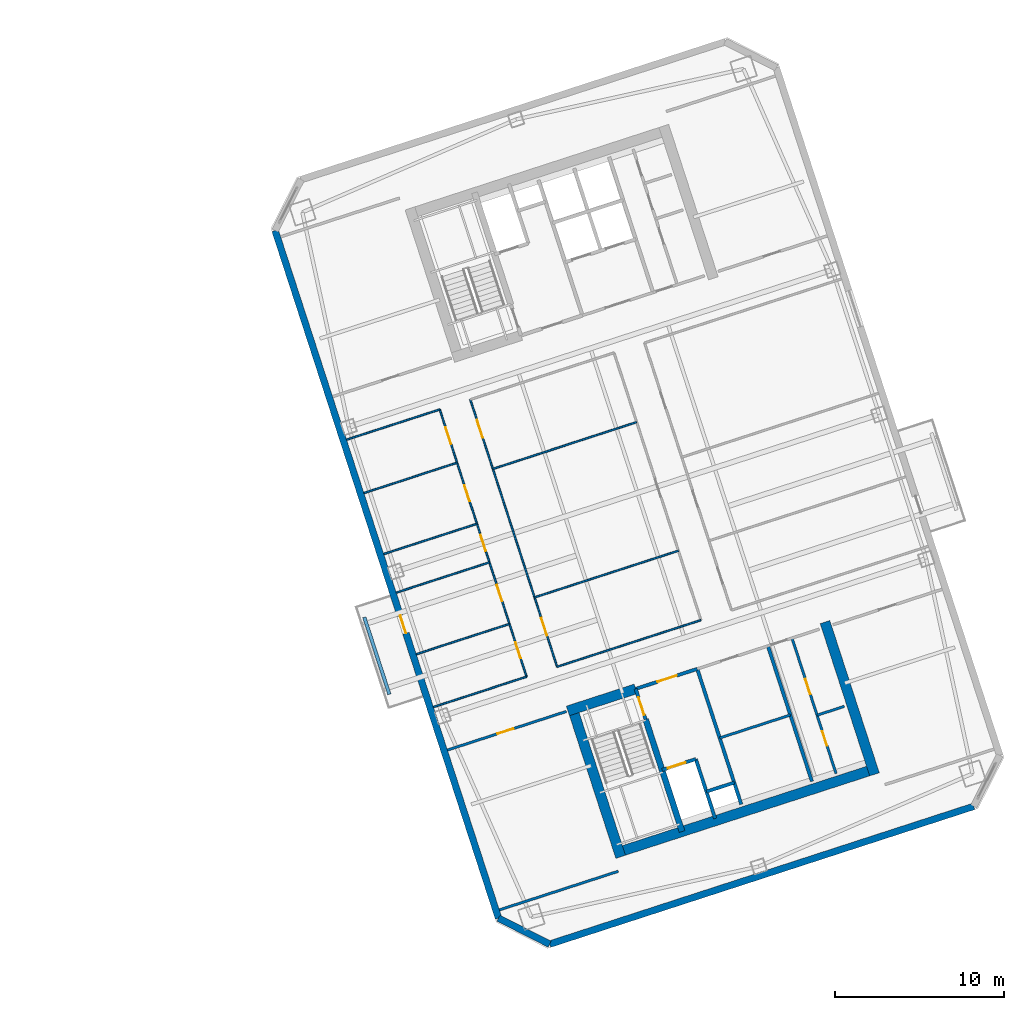
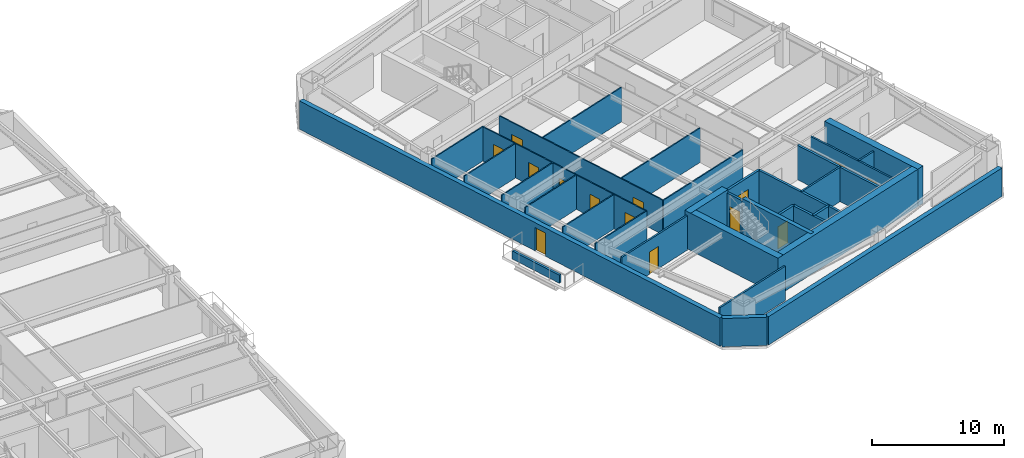
# One storey, part 15 of 22: 32 walls, 14 doors, 14 openings.
"""IFC4 building model written with IfcOpenShell, lengths in metres."""

import ifcopenshell
import ifcopenshell.guid

model = None  # the IFC model being written
_history = None  # IfcOwnerHistory: only IFC2X3 demands one
_inside = {}  # id of a spatial element -> (the spatial element, [elements in it])
_under = {}  # id of a project, library or spatial element -> (it, [spatial elements below it])
_declared = {}  # id of a project -> (the project, [libraries it declares])
_typed = {}  # id of a type object -> (the type object, [elements of that type])
_made_of = {}  # id of a material, layer set ... -> (it, [elements and type objects made of it])


def new_model(schema):
    """Start an empty IFC model of exactly this schema.

    Asked for "IFC4X3", IfcOpenShell would pick the latest addendum, in which some entities
    have other attributes; the version numbers below select the first issue.
    IFC2X3 requires an IfcOwnerHistory on every rooted entity: one is made here for all.
    """
    global model, _history
    if schema == "IFC4X3":
        model = ifcopenshell.file(schema_version=(4, 3, 0, 0))
    else:
        model = ifcopenshell.file(schema=schema)
    _inside.clear()
    _under.clear()
    _declared.clear()
    _typed.clear()
    _made_of.clear()
    _history = None
    if model.schema == "IFC2X3":
        org = make("IfcOrganization", Name="unknown")
        user = make(
            "IfcPersonAndOrganization",
            ThePerson=make("IfcPerson", FamilyName="unknown"),
            TheOrganization=org,
        )
        app = make(
            "IfcApplication",
            ApplicationDeveloper=org,
            Version="unknown",
            ApplicationFullName="unknown",
            ApplicationIdentifier="unknown",
        )
        _history = make(
            "IfcOwnerHistory",
            OwningUser=user,
            OwningApplication=app,
            ChangeAction="ADDED",
            CreationDate=0,
        )
    return model


def make(cls, **values):
    """One entity of the class cls with the attributes given. An attribute that is None is left unset."""
    return model.create_entity(
        cls, **{name: value for name, value in values.items() if value is not None}
    )


def rooted(cls, **values):
    """An entity with a GlobalId (a new one), such as an element, a storey or a relation."""
    return make(cls, GlobalId=ifcopenshell.guid.new(), OwnerHistory=_history, **values)


def si_unit(unit_type, name, prefix=None):
    """IfcSIUnit, for example si_unit("LENGTHUNIT", "METRE", prefix="MILLI")."""
    return make("IfcSIUnit", UnitType=unit_type, Prefix=prefix, Name=name)


def assignment(units):
    """IfcUnitAssignment: the units of a project."""
    return None if units is None else make("IfcUnitAssignment", Units=units)


def point(xyz):
    """IfcCartesianPoint."""
    return None if xyz is None else make("IfcCartesianPoint", Coordinates=xyz)


def direction(xyz):
    """IfcDirection."""
    return None if xyz is None else make("IfcDirection", DirectionRatios=xyz)


def frame(location, z_axis=None, x_axis=None):
    """IfcAxis2Placement3D, a coordinate frame: its origin and axes. An axis left out is left unset."""
    return make(
        "IfcAxis2Placement3D",
        Location=point(location),
        Axis=direction(z_axis),
        RefDirection=direction(x_axis),
    )


def frame_2d(location, x_axis=None):
    """IfcAxis2Placement2D, a coordinate frame in the plane: its origin and x axis."""
    return make(
        "IfcAxis2Placement2D", Location=point(location), RefDirection=direction(x_axis)
    )


def origin():
    """The frame at (0, 0, 0) with its axes left unset."""
    return frame((0.0, 0.0, 0.0))


def place(relative_to, where):
    """IfcLocalPlacement: puts the frame where relative to a parent placement (None: the world)."""
    return make(
        "IfcLocalPlacement", PlacementRelTo=relative_to, RelativePlacement=where
    )


def context(
    kind, dimensions, precision=None, world=None, true_north=None, identifier=None
):
    """IfcGeometricRepresentationContext, for example the 3D "Model" context."""
    return make(
        "IfcGeometricRepresentationContext",
        ContextIdentifier=identifier,
        ContextType=kind,
        CoordinateSpaceDimension=dimensions,
        Precision=precision,
        WorldCoordinateSystem=world,
        TrueNorth=true_north,
    )


def subcontext(parent, identifier, kind, view, scale=None):
    """IfcGeometricRepresentationSubContext, for example "Body" below "Model"."""
    return make(
        "IfcGeometricRepresentationSubContext",
        ContextIdentifier=identifier,
        ContextType=kind,
        ParentContext=parent,
        TargetScale=scale,
        TargetView=view,
    )


def project(units=None, contexts=None):
    """IfcProject with its units and contexts."""
    return rooted(
        "IfcProject",
        Name="project",
        RepresentationContexts=contexts,
        UnitsInContext=assignment(units),
    )


def spatial(cls, under=None, at=None, **own):
    """A site, building, storey or space (cls), placed at a placement, below another one or the project."""
    s = rooted(cls, ObjectPlacement=at, **own)
    if under is not None:
        _under.setdefault(under.id(), (under, []))[1].append(s)
    return s


def profile(cls, at=None, kind="AREA", **sizes):
    """A parametric profile (cls). Its sizes go by their IFC names, for example OverallWidth=200.0."""
    return make(cls, ProfileType=kind, Position=at, **sizes)


def rectangle(**sizes):
    """IfcRectangleProfileDef."""
    return profile("IfcRectangleProfileDef", **sizes)


def extrude(swept, where, along, depth):
    """IfcExtrudedAreaSolid: the profile swept, set in the frame where, extruded along a direction by depth."""
    return make(
        "IfcExtrudedAreaSolid",
        SweptArea=swept,
        Position=where,
        ExtrudedDirection=direction(along),
        Depth=depth,
    )


def shape(context_of_items, identifier, shape_type, items):
    """IfcShapeRepresentation: the items that make up one representation, for example the "Body"."""
    return make(
        "IfcShapeRepresentation",
        ContextOfItems=context_of_items,
        RepresentationIdentifier=identifier,
        RepresentationType=shape_type,
        Items=items,
    )


def material(Name=None, Category=None):
    """IfcMaterial."""
    return make("IfcMaterial", Name=Name, Category=Category)


def layer(
    of_material, thickness, ventilated=None, Name=None, Category=None, Priority=None
):
    """IfcMaterialLayer: one layer of a wall or slab, of a material (None: an air gap)."""
    return make(
        "IfcMaterialLayer",
        Material=of_material,
        LayerThickness=thickness,
        IsVentilated=ventilated,
        Name=Name,
        Category=Category,
        Priority=Priority,
    )


def layer_set(layers, Name=None):
    """IfcMaterialLayerSet."""
    return make("IfcMaterialLayerSet", MaterialLayers=layers, LayerSetName=Name)


def made_of(thing, what):
    """Note that an element or type object is made of a material, layer set ...; save() writes the relation."""
    if what is not None:
        _made_of.setdefault(what.id(), (what, []))[1].append(thing)
    return thing


def type_object(cls, material=None, **own):
    """A type object (cls), such as IfcWallType, which elements share."""
    return made_of(rooted(cls, **own), material)


def element(
    cls,
    number,
    at=None,
    inside=None,
    cuts=None,
    type_object=None,
    material=None,
    context=None,
    identifier="Body",
    shape_type=None,
    held_by="IfcProductDefinitionShape",
    body=None,
    shapes=None,
    **own,
):
    """One element of the class cls, such as IfcWall. Its Tag is "e" and its number.

    at: its placement. inside: the storey or other place that contains it. cuts: it is an
    opening in that element (IfcRelVoidsElement). A single representation is given by context,
    identifier, shape_type and body (its items); several are given by shapes. held_by: the class
    of the entity that holds the representations. save() writes the other relations.
    """
    e = rooted(cls, Tag="e%d" % number, ObjectPlacement=at, **own)
    if body is not None:
        shapes = [shape(context, identifier, shape_type, body)]
    if shapes is not None:
        e.Representation = make(held_by, Representations=shapes)
    if inside is not None:
        _inside.setdefault(inside.id(), (inside, []))[1].append(e)
    if cuts is not None:
        rooted(
            "IfcRelVoidsElement", RelatingBuildingElement=cuts, RelatedOpeningElement=e
        )
    if type_object is not None:
        _typed.setdefault(type_object.id(), (type_object, []))[1].append(e)
    return made_of(e, material)


def fill(opening, filler):
    """IfcRelFillsElement: the door or window that sits in an opening."""
    return rooted(
        "IfcRelFillsElement",
        RelatingOpeningElement=opening,
        RelatedBuildingElement=filler,
    )


def aggregate(whole, parts):
    """IfcRelAggregates: a whole, such as a stair, and the parts it consists of."""
    return rooted("IfcRelAggregates", RelatingObject=whole, RelatedObjects=parts)


def save(model, path):
    """Write the relations noted so far, then the file.

    IfcRelAggregates (storeys below a building ...), IfcRelContainedInSpatialStructure (elements
    in a storey), IfcRelDefinesByType, IfcRelAssociatesMaterial and IfcRelDeclares: one each for
    every whole, place, type object, material and project.
    """
    for whole, parts in _under.values():
        aggregate(whole, parts)
    for where, things in _inside.values():
        rooted(
            "IfcRelContainedInSpatialStructure",
            RelatedElements=things,
            RelatingStructure=where,
        )
    for kind, things in _typed.values():
        rooted("IfcRelDefinesByType", RelatedObjects=things, RelatingType=kind)
    for what, things in _made_of.values():
        rooted("IfcRelAssociatesMaterial", RelatedObjects=things, RelatingMaterial=what)
    for by, libraries in _declared.values():
        rooted("IfcRelDeclares", RelatingContext=by, RelatedDefinitions=libraries)
    model.write(path)


model = new_model("IFC4")

# Units and contexts
model_context = context("Model", 3, precision=1e-05, world=origin(), true_north=direction((0.0, 1.0)))
body_context = subcontext(model_context, "Body", "Model", "MODEL_VIEW")
ifc_project = project(units=[si_unit("LENGTHUNIT", "METRE"), si_unit("AREAUNIT", "SQUARE_METRE"), si_unit("VOLUMEUNIT", "CUBIC_METRE"), si_unit("PLANEANGLEUNIT", "RADIAN"), si_unit("MASSUNIT", "GRAM", prefix="KILO")], contexts=[model_context])

# Site, building, storey
site_placement = place(None, origin())
site = spatial("IfcSite", under=ifc_project, at=site_placement, CompositionType="ELEMENT")
building_placement = place(site_placement, origin())
building = spatial("IfcBuilding", under=site, at=building_placement, Name="Qiaolan Cultural Towers", CompositionType="ELEMENT")
storey_placement = place(building_placement, frame((0.0, 0.0, 146.050048828125)))
storey = spatial("IfcBuildingStorey", under=building, at=storey_placement, Name="L38", CompositionType="ELEMENT", Elevation=146.050048828125)

# Walls
ifc_material_1 = material(Name="Concrete C50", Category="concrete")
ifc_layer_1 = layer(ifc_material_1, 0.35009765625)
ifc_layer_set_1 = layer_set([ifc_layer_1], Name="Concrete C50")
wall_type_1 = type_object("IfcWallType", Name="WL-CORE-350", PredefinedType="SHEAR", material=ifc_layer_set_1)
wall_1_placement = place(storey_placement, frame((90.486328125, 20.59423828125, 0.0), z_axis=(0.0, 0.0, 1.0), x_axis=(0.309020428229, -0.951055400562, 0.0)))
element("IfcWall", 1, at=wall_1_placement, inside=storey, type_object=wall_type_1, Name="L38 T2-CS Stair Core Dividing Web", PredefinedType="SHEAR", context=body_context, shape_type="SweptSolid", body=[
    extrude(rectangle(XDim=6.97998046875, YDim=0.35009765625, at=frame_2d((3.489990234375, 0.0))), origin(), (0.0, 0.0, 1.0), 3.449951171875),
])
ifc_material_2 = material(Name="Concrete C55", Category="concrete")
ifc_layer_2 = layer(ifc_material_2, 0.60009765625)
ifc_layer_set_2 = layer_set([ifc_layer_2], Name="Concrete C55")
wall_type_2 = type_object("IfcWallType", Name="WL-CORE-600", PredefinedType="SHEAR", material=ifc_layer_set_2)
wall_2_placement = place(storey_placement, frame((88.6298828125, 12.65185546875, 0.0), z_axis=(0.0, 0.0, 1.0), x_axis=(0.95105714907, 0.309015046886, 0.0)))
element("IfcWall", 2, at=wall_2_placement, inside=storey, type_object=wall_type_2, Name="L38 T2-CS Outer Core Shear Wall", PredefinedType="SHEAR", context=body_context, shape_type="SweptSolid", body=[
    extrude(rectangle(XDim=16.400146484375, YDim=0.60009765625, at=frame_2d((8.2001953125, 0.0))), origin(), (0.0, 0.0, 1.0), 3.449951171875),
])
wall_3_placement = place(storey_placement, frame((86.078369140625, 21.47509765625, 0.0), z_axis=(0.0, 0.0, 1.0), x_axis=(0.309017938678, -0.951056209472, 0.0)))
element("IfcWall", 3, at=wall_3_placement, inside=storey, type_object=wall_type_2, Name="L38 T2-CS West Core Shear Wall", PredefinedType="SHEAR", context=body_context, shape_type="SweptSolid", body=[
    extrude(rectangle(XDim=9.479736328125, YDim=0.60009765625, at=frame_2d((4.73974609375, 0.0))), origin(), (0.0, 0.0, 1.0), 3.449951171875),
])
wall_4_placement = place(storey_placement, frame((101.105224609375, 26.357666015625, 0.0), z_axis=(0.0, 0.0, 1.0), x_axis=(0.309010370028, -0.95105866865, 0.0)))
element("IfcWall", 4, at=wall_4_placement, inside=storey, type_object=wall_type_2, Name="L38 T2-CS East Core Shear Wall", PredefinedType="SHEAR", context=body_context, shape_type="SweptSolid", body=[
    extrude(rectangle(XDim=9.47998046875, YDim=0.60009765625, at=frame_2d((4.739990234375, 0.0))), origin(), (0.0, 0.0, 1.0), 3.449951171875),
])
wall_5_placement = place(storey_placement, frame((85.8857421875, 21.09716796875, 0.0), z_axis=(0.0, 0.0, 1.0), x_axis=(0.951068073652, 0.308981422225, 0.0)))
element("IfcWall", 5, at=wall_5_placement, inside=storey, type_object=wall_type_2, Name="L38 T2-CS Stair Front Shear Wall", PredefinedType="SHEAR", context=body_context, shape_type="SweptSolid", body=[
    extrude(rectangle(XDim=4.22021484375, YDim=0.60009765625, at=frame_2d((2.110107421875, 0.0))), origin(), (0.0, 0.0, 1.0), 3.449951171875),
])

# Wall, opening, door
ifc_material_3 = material(Name="Precast Concrete C50 Honed Stone Pier", Category="masonry")
ifc_layer_3 = layer(ifc_material_3, 0.39990234375)
ifc_layer_set_3 = layer_set([ifc_layer_3], Name="Precast Concrete C50 Honed Stone Pier")
wall_type_3 = type_object("IfcWallType", Name="WL-EXT-PIER-400", PredefinedType="SOLIDWALL", material=ifc_layer_set_3)
wall_6_placement = place(storey_placement, frame((81.7763671875, 8.82666015625, 0.0), z_axis=(0.0, 0.0, 1.0), x_axis=(-0.309014228706, 0.951057414911, 0.0)))
wall_6 = element("IfcWall", 6, at=wall_6_placement, inside=storey, type_object=wall_type_3, Name="L38 East Tower Precast Pier Facade Wall F1", PredefinedType="SOLIDWALL", context=body_context, shape_type="SweptSolid", body=[
    extrude(rectangle(XDim=42.800048828125, YDim=0.39990234375, at=frame_2d((21.39990234375, 0.0))), origin(), (0.0, 0.0, 1.0), 2.60986328125),
])
opening_1_placement = place(wall_6_placement, frame((17.7333984375, 0.0, 0.0)))
opening_1 = element("IfcOpeningElement", 7, at=opening_1_placement, cuts=wall_6, Name="Opening BD-01", PredefinedType="OPENING", context=body_context, shape_type="SweptSolid", body=[
    extrude(rectangle(XDim=1.10009765625, YDim=2.14990234375, at=frame_2d((0.550048828125, 1.074951171875))), frame((0.0, 0.2099609375, 0.0), z_axis=(0.0, -1.0, 0.0), x_axis=(1.0, 0.0, 0.0)), (0.0, 0.0, 1.0), 0.419921875),
])
ifc_material_4 = material(Name="Thermally Broken Aluminium Glazed Terrace Door", Category="aluminium")
door_type_1 = type_object("IfcDoorType", Name="DR-BAL-1100", OperationType="NOTDEFINED", PredefinedType="DOOR", material=ifc_material_4)
door_1_placement = place(opening_1_placement, origin())
door_1 = element("IfcDoor", 8, at=door_1_placement, inside=storey, type_object=door_type_1, Name="L38 T2 West Tree Balcony Door", OperationType="SINGLE_SWING_LEFT", OverallHeight=2.14990234375, OverallWidth=1.10009765625, PredefinedType="DOOR", context=body_context, shape_type="SweptSolid", body=[
    extrude(rectangle(XDim=1.10009765625, YDim=2.14990234375, at=frame_2d((0.550048828125, 1.074951171875))), frame((0.0, 0.02490234375, 0.0), z_axis=(0.0, -1.0, 0.0), x_axis=(1.0, 0.0, 0.0)), (0.0, 0.0, 1.0), 0.050048828125),
])
fill(opening_1, door_1)

# Walls
wall_7_placement = place(storey_placement, frame((109.908447265625, 15.44384765625, 0.0), z_axis=(0.0, 0.0, 1.0), x_axis=(-0.951057580055, -0.30901372044, 0.0)))
element("IfcWall", 9, at=wall_7_placement, inside=storey, type_object=wall_type_3, Name="L38 East Tower Precast Pier Facade Wall F7", PredefinedType="SOLIDWALL", context=body_context, shape_type="SweptSolid", body=[
    extrude(rectangle(XDim=26.39990234375, YDim=0.39990234375, at=frame_2d((13.199951171875, 0.0))), origin(), (0.0, 0.0, 1.0), 2.60986328125),
])
wall_8_placement = place(storey_placement, frame((84.800537109375, 7.285888671875, 0.0), z_axis=(0.0, 0.0, 1.0), x_axis=(-0.891020832027, 0.453962417932, 0.0)))
element("IfcWall", 10, at=wall_8_placement, inside=storey, type_object=wall_type_3, Name="L38 East Tower Precast Pier Facade Wall F8", PredefinedType="SOLIDWALL", context=body_context, shape_type="SweptSolid", body=[
    extrude(rectangle(XDim=3.39404296875, YDim=0.39990234375, at=frame_2d((1.697021484375, 0.0))), origin(), (0.0, 0.0, 1.0), 2.60986328125),
])

# Wall, opening, door
ifc_material_5 = material(Name="Concrete C35 Fire Wall", Category="concrete")
ifc_layer_4 = layer(ifc_material_5, 0.199951171875)
ifc_layer_set_4 = layer_set([ifc_layer_4], Name="Concrete C35 Fire Wall")
wall_type_4 = type_object("IfcWallType", Name="WL-FIRE-200", PredefinedType="PARTITIONING", material=ifc_layer_set_4)
wall_9_placement = place(storey_placement, frame((89.8994140625, 22.401123046875, 0.0), z_axis=(0.0, 0.0, 1.0), x_axis=(0.308932062672, -0.951084108086, 0.0)))
wall_9 = element("IfcWall", 11, at=wall_9_placement, inside=storey, type_object=wall_type_4, Name="L38 T2-CS Smokeproof Stair Entry Wall", PredefinedType="PARTITIONING", context=body_context, shape_type="SweptSolid", body=[
    extrude(rectangle(XDim=1.89990234375, YDim=0.199951171875, at=frame_2d((0.949951171875, 0.0))), origin(), (0.0, 0.0, 1.0), 3.175048828125),
])
opening_2_placement = place(wall_9_placement, frame((0.52001953125, 0.0, 0.0)))
opening_2 = element("IfcOpeningElement", 12, at=opening_2_placement, cuts=wall_9, Name="Opening FD-04", PredefinedType="OPENING", context=body_context, shape_type="SweptSolid", body=[
    extrude(rectangle(XDim=1.10009765625, YDim=2.050048828125, at=frame_2d((0.550048828125, 1.02490234375))), frame((0.0, 0.10986328125, 0.0), z_axis=(0.0, -1.0, 0.0), x_axis=(1.0, 0.0, 0.0)), (0.0, 0.0, 1.0), 0.219970703125),
])
ifc_material_6 = material(Name="Galvanized Steel Command Fire Door", Category="steel")
door_type_2 = type_object("IfcDoorType", Name="DR-FD90-1100", OperationType="NOTDEFINED", PredefinedType="DOOR", material=ifc_material_6)
door_2_placement = place(opening_2_placement, origin())
door_2 = element("IfcDoor", 13, at=door_2_placement, inside=storey, type_object=door_type_2, Name="L38 ST-E1 Smokeproof Stair Fire Door", OperationType="SINGLE_SWING_LEFT", OverallHeight=2.050048828125, OverallWidth=1.10009765625, PredefinedType="DOOR", context=body_context, shape_type="SweptSolid", body=[
    extrude(rectangle(XDim=1.10009765625, YDim=2.050048828125, at=frame_2d((0.550048828125, 1.02490234375))), frame((0.0, 0.02490234375, 0.0), z_axis=(0.0, -1.0, 0.0), x_axis=(1.0, 0.0, 0.0)), (0.0, 0.0, 1.0), 0.050048828125),
])
fill(opening_2, door_2)

# Wall
wall_10_placement = place(storey_placement, frame((93.541748046875, 23.584716796875, 0.0), z_axis=(0.0, 0.0, 1.0), x_axis=(0.309042196757, -0.951048327176, 0.0)))
element("IfcWall", 14, at=wall_10_placement, inside=storey, type_object=wall_type_4, Name="L38 T2-CS Firefighting Zone Wall", PredefinedType="PARTITIONING", context=body_context, shape_type="SweptSolid", body=[
    extrude(rectangle(XDim=8.429931640625, YDim=0.199951171875, at=frame_2d((4.21484375, 0.0))), origin(), (0.0, 0.0, 1.0), 3.175048828125),
])

# Wall, opening, door
wall_11_placement = place(storey_placement, frame((89.8994140625, 22.401123046875, 0.0), z_axis=(0.0, 0.0, 1.0), x_axis=(0.951046716504, 0.309047153403, 0.0)))
wall_11 = element("IfcWall", 15, at=wall_11_placement, inside=storey, type_object=wall_type_4, Name="L38 T2-CS Firefighting Lobby Front Wall", PredefinedType="PARTITIONING", context=body_context, shape_type="SweptSolid", body=[
    extrude(rectangle(XDim=3.829833984375, YDim=0.199951171875, at=frame_2d((1.9150390625, 0.0))), origin(), (0.0, 0.0, 1.0), 3.175048828125),
])
opening_3_placement = place(wall_11_placement, frame((1.35009765625, 0.0, 0.0)))
opening_3 = element("IfcOpeningElement", 16, at=opening_3_placement, cuts=wall_11, Name="Opening FD-03", PredefinedType="OPENING", context=body_context, shape_type="SweptSolid", body=[
    extrude(rectangle(XDim=1.199951171875, YDim=2.050048828125, at=frame_2d((0.60009765625, 1.02490234375))), frame((0.0, 0.10986328125, 0.0), z_axis=(0.0, -1.0, 0.0), x_axis=(1.0, 0.0, 0.0)), (0.0, 0.0, 1.0), 0.219970703125),
])
ifc_material_7 = material(Name="Galvanized Steel Smokeproof Lobby Fire Door", Category="steel")
door_type_3 = type_object("IfcDoorType", Name="DR-FD90-1200", OperationType="NOTDEFINED", PredefinedType="DOOR", material=ifc_material_7)
door_3_placement = place(opening_3_placement, origin())
door_3 = element("IfcDoor", 17, at=door_3_placement, inside=storey, type_object=door_type_3, Name="L38 FFL-E1 Firefighting Lobby Fire Door", OperationType="SINGLE_SWING_LEFT", OverallHeight=2.050048828125, OverallWidth=1.199951171875, PredefinedType="DOOR", context=body_context, shape_type="SweptSolid", body=[
    extrude(rectangle(XDim=1.199951171875, YDim=2.050048828125, at=frame_2d((0.60009765625, 1.02490234375))), frame((0.0, 0.02490234375, 0.0), z_axis=(0.0, -1.0, 0.0), x_axis=(1.0, 0.0, 0.0)), (0.0, 0.0, 1.0), 0.050048828125),
])
fill(opening_3, door_3)

wall_12_placement = place(storey_placement, frame((91.459716796875, 17.598388671875, 0.0), z_axis=(0.0, 0.0, 1.0), x_axis=(0.951062257173, 0.308999325213, 0.0)))
wall_12 = element("IfcWall", 18, at=wall_12_placement, inside=storey, type_object=wall_type_4, Name="L38 T2-CS Firefighting Shaft Front Wall", PredefinedType="PARTITIONING", context=body_context, shape_type="SweptSolid", body=[
    extrude(rectangle(XDim=2.10009765625, YDim=0.199951171875, at=frame_2d((1.050048828125, 0.0))), origin(), (0.0, 0.0, 1.0), 3.175048828125),
])
opening_4_placement = place(wall_12_placement, frame((0.35009765625, 0.0, 0.0)))
opening_4 = element("IfcOpeningElement", 19, at=opening_4_placement, cuts=wall_12, Name="Opening LD-01", PredefinedType="OPENING", context=body_context, shape_type="SweptSolid", body=[
    extrude(rectangle(XDim=1.10009765625, YDim=2.050048828125, at=frame_2d((0.550048828125, 1.02490234375))), frame((0.0, 0.10986328125, 0.0), z_axis=(0.0, -1.0, 0.0), x_axis=(1.0, 0.0, 0.0)), (0.0, 0.0, 1.0), 0.219970703125),
])
ifc_material_8 = material(Name="Brushed Stainless Steel S30408 Centre-Parting Lift Landing Door", Category="steel")
door_type_4 = type_object("IfcDoorType", Name="DR-LIFT-1100", OperationType="NOTDEFINED", PredefinedType="DOOR", material=ifc_material_8)
door_4_placement = place(opening_4_placement, origin())
door_4 = element("IfcDoor", 20, at=door_4_placement, inside=storey, type_object=door_type_4, Name="L38 FFL-E1 Firefighting Lift Landing Door", OperationType="DOUBLE_DOOR_SLIDING", OverallHeight=2.050048828125, OverallWidth=1.10009765625, PredefinedType="DOOR", context=body_context, shape_type="SweptSolid", body=[
    extrude(rectangle(XDim=1.10009765625, YDim=2.050048828125, at=frame_2d((0.550048828125, 1.02490234375))), frame((0.0, 0.02490234375, 0.0), z_axis=(0.0, -1.0, 0.0), x_axis=(1.0, 0.0, 0.0)), (0.0, 0.0, 1.0), 0.050048828125),
])
fill(opening_4, door_4)

# Walls
wall_13_placement = place(storey_placement, frame((93.45703125, 18.247314453125, 0.0), z_axis=(0.0, 0.0, 1.0), x_axis=(0.3089935693, -0.951064127245, 0.0)))
element("IfcWall", 21, at=wall_13_placement, inside=storey, type_object=wall_type_4, Name="L38 T2-CS Firefighting Hoistway East Wall", PredefinedType="PARTITIONING", context=body_context, shape_type="SweptSolid", body=[
    extrude(rectangle(XDim=3.7001953125, YDim=0.199951171875, at=frame_2d((1.85009765625, 0.0))), origin(), (0.0, 0.0, 1.0), 3.175048828125),
])
wall_14_placement = place(storey_placement, frame((94.08447265625, 16.316650390625, 0.0), z_axis=(0.0, 0.0, 1.0), x_axis=(0.951041328149, 0.309063734775, 0.0)))
element("IfcWall", 22, at=wall_14_placement, inside=storey, type_object=wall_type_4, Name="L38 T2-CS Pressurization Shaft Front Wall", PredefinedType="PARTITIONING", context=body_context, shape_type="SweptSolid", body=[
    extrude(rectangle(XDim=1.72998046875, YDim=0.199951171875, at=frame_2d((0.864990234375, 0.0))), origin(), (0.0, 0.0, 1.0), 3.175048828125),
])
wall_15_placement = place(storey_placement, frame((97.7265625, 24.9443359375, 0.0), z_axis=(0.0, 0.0, 1.0), x_axis=(0.309016001439, -0.951056838919, 0.0)))
element("IfcWall", 23, at=wall_15_placement, inside=storey, type_object=wall_type_4, Name="L38 T2-CS Lift Core East Wall", PredefinedType="PARTITIONING", context=body_context, shape_type="SweptSolid", body=[
    extrude(rectangle(XDim=8.429931640625, YDim=0.199951171875, at=frame_2d((4.21484375, 0.0))), origin(), (0.0, 0.0, 1.0), 3.175048828125),
])
ifc_material_9 = material(Name="Acoustic Double-Glazed Partition Frame", Category="glass")
ifc_layer_5 = layer(ifc_material_9, 0.10009765625)
ifc_layer_set_5 = layer_set([ifc_layer_5], Name="Acoustic Double-Glazed Partition Frame")
wall_type_5 = type_object("IfcWallType", Name="WL-GLAZED-100", PredefinedType="MOVABLE", material=ifc_layer_set_5)
wall_16_placement = place(storey_placement, frame((77.9248046875, 21.328369140625, 0.0), z_axis=(0.0, 0.0, 1.0), x_axis=(0.951059431056, 0.309008023519, 0.0)))
element("IfcWall", 24, at=wall_16_placement, inside=storey, type_object=wall_type_5, Name="L38 T2 Interior Wall", PredefinedType="MOVABLE", context=body_context, shape_type="SweptSolid", body=[
    extrude(rectangle(XDim=5.800048828125, YDim=0.10009765625, at=frame_2d((2.89990234375, 0.0))), origin(), (0.0, 0.0, 1.0), 3.175048828125),
])
wall_17_placement = place(storey_placement, frame((85.247802734375, 23.707763671875, 0.0), z_axis=(0.0, 0.0, 1.0), x_axis=(0.951059123431, 0.309008970321, 0.0)))
element("IfcWall", 25, at=wall_17_placement, inside=storey, type_object=wall_type_5, Name="L38 T2 Interior Wall", PredefinedType="MOVABLE", context=body_context, shape_type="SweptSolid", body=[
    extrude(rectangle(XDim=8.949951171875, YDim=0.10009765625, at=frame_2d((4.47509765625, 0.0))), origin(), (0.0, 0.0, 1.0), 3.175048828125),
])
wall_18_placement = place(storey_placement, frame((72.78271484375, 37.15380859375, 0.0), z_axis=(0.0, 0.0, 1.0), x_axis=(0.951047059821, 0.309046096893, 0.0)))
element("IfcWall", 26, at=wall_18_placement, inside=storey, type_object=wall_type_5, Name="L38 T2 Interior Wall", PredefinedType="MOVABLE", context=body_context, shape_type="SweptSolid", body=[
    extrude(rectangle(XDim=5.800048828125, YDim=0.10009765625, at=frame_2d((2.89990234375, 0.0))), origin(), (0.0, 0.0, 1.0), 3.175048828125),
])

# Wall, openings, doors
wall_19_placement = place(storey_placement, frame((83.44091796875, 23.12060546875, 0.0), z_axis=(0.0, 0.0, 1.0), x_axis=(-0.30901773025, 0.951056277195, 0.0)))
wall_19 = element("IfcWall", 27, at=wall_19_placement, inside=storey, type_object=wall_type_5, Name="L38 T2 Interior Wall", PredefinedType="MOVABLE", context=body_context, shape_type="SweptSolid", body=[
    extrude(rectangle(XDim=16.64013671875, YDim=0.10009765625, at=frame_2d((8.320068359375, 0.0))), origin(), (0.0, 0.0, 1.0), 3.175048828125),
])
opening_5_placement = place(wall_19_placement, frame((1.143310546875, 0.0, 0.0)))
opening_5 = element("IfcOpeningElement", 28, at=opening_5_placement, cuts=wall_19, Name="Opening ID-04", PredefinedType="OPENING", context=body_context, shape_type="SweptSolid", body=[
    extrude(rectangle(XDim=1.0, YDim=2.050048828125, at=frame_2d((0.5, 1.02490234375))), frame((0.0, 0.06005859375, 0.0), z_axis=(0.0, -1.0, 0.0), x_axis=(1.0, 0.0, 0.0)), (0.0, 0.0, 1.0), 0.1201171875),
])
opening_6_placement = place(wall_19_placement, frame((4.703369140625, 0.0, 0.0)))
opening_6 = element("IfcOpeningElement", 29, at=opening_6_placement, cuts=wall_19, Name="Opening ID-04", PredefinedType="OPENING", context=body_context, shape_type="SweptSolid", body=[
    extrude(rectangle(XDim=1.0, YDim=2.050048828125, at=frame_2d((0.5, 1.02490234375))), frame((0.0, 0.06005859375, 0.0), z_axis=(0.0, -1.0, 0.0), x_axis=(1.0, 0.0, 0.0)), (0.0, 0.0, 1.0), 0.1201171875),
])
opening_7_placement = place(wall_19_placement, frame((7.820068359375, 0.0, 0.0)))
opening_7 = element("IfcOpeningElement", 30, at=opening_7_placement, cuts=wall_19, Name="Opening ID-04", PredefinedType="OPENING", context=body_context, shape_type="SweptSolid", body=[
    extrude(rectangle(XDim=1.0, YDim=2.050048828125, at=frame_2d((0.5, 1.02490234375))), frame((0.0, 0.06005859375, 0.0), z_axis=(0.0, -1.0, 0.0), x_axis=(1.0, 0.0, 0.0)), (0.0, 0.0, 1.0), 0.1201171875),
])
opening_8_placement = place(wall_19_placement, frame((10.919921875, 0.0, 0.0)))
opening_8 = element("IfcOpeningElement", 31, at=opening_8_placement, cuts=wall_19, Name="Opening ID-04", PredefinedType="OPENING", context=body_context, shape_type="SweptSolid", body=[
    extrude(rectangle(XDim=1.0, YDim=2.050048828125, at=frame_2d((0.5, 1.02490234375))), frame((0.0, 0.06005859375, 0.0), z_axis=(0.0, -1.0, 0.0), x_axis=(1.0, 0.0, 0.0)), (0.0, 0.0, 1.0), 0.1201171875),
])
opening_9_placement = place(wall_19_placement, frame((14.47998046875, 0.0, 0.0)))
opening_9 = element("IfcOpeningElement", 32, at=opening_9_placement, cuts=wall_19, Name="Opening ID-07", PredefinedType="OPENING", context=body_context, shape_type="SweptSolid", body=[
    extrude(rectangle(XDim=1.050048828125, YDim=2.050048828125, at=frame_2d((0.52490234375, 1.02490234375))), frame((0.0, 0.06005859375, 0.0), z_axis=(0.0, -1.0, 0.0), x_axis=(1.0, 0.0, 0.0)), (0.0, 0.0, 1.0), 0.1201171875),
])
ifc_material_10 = material(Name="Oak Veneer Acoustic Office Door", Category="timber")
door_type_5 = type_object("IfcDoorType", Name="DR-INT-1000", OperationType="NOTDEFINED", PredefinedType="DOOR", material=ifc_material_10)
door_5_placement = place(opening_5_placement, origin())
door_5 = element("IfcDoor", 33, at=door_5_placement, inside=storey, type_object=door_type_5, Name="L38 T2 Civic Planning Office Door", OperationType="SINGLE_SWING_LEFT", OverallHeight=2.050048828125, OverallWidth=1.0, PredefinedType="DOOR", context=body_context, shape_type="SweptSolid", body=[
    extrude(rectangle(XDim=1.0, YDim=2.050048828125, at=frame_2d((0.5, 1.02490234375))), frame((0.0, 0.02490234375, 0.0), z_axis=(0.0, -1.0, 0.0), x_axis=(1.0, 0.0, 0.0)), (0.0, 0.0, 1.0), 0.050048828125),
])
fill(opening_5, door_5)
door_6_placement = place(opening_6_placement, origin())
door_6 = element("IfcDoor", 34, at=door_6_placement, inside=storey, type_object=door_type_5, Name="L38 T2 Civic Planning Office Door", OperationType="SINGLE_SWING_RIGHT", OverallHeight=2.050048828125, OverallWidth=1.0, PredefinedType="DOOR", context=body_context, shape_type="SweptSolid", body=[
    extrude(rectangle(XDim=1.0, YDim=2.050048828125, at=frame_2d((0.5, 1.02490234375))), frame((0.0, 0.02490234375, 0.0), z_axis=(0.0, -1.0, 0.0), x_axis=(1.0, 0.0, 0.0)), (0.0, 0.0, 1.0), 0.050048828125),
])
fill(opening_6, door_6)
door_7_placement = place(opening_7_placement, origin())
door_7 = element("IfcDoor", 35, at=door_7_placement, inside=storey, type_object=door_type_5, Name="L38 T2 Design Review Room Door", OperationType="SINGLE_SWING_LEFT", OverallHeight=2.050048828125, OverallWidth=1.0, PredefinedType="DOOR", context=body_context, shape_type="SweptSolid", body=[
    extrude(rectangle(XDim=1.0, YDim=2.050048828125, at=frame_2d((0.5, 1.02490234375))), frame((0.0, 0.02490234375, 0.0), z_axis=(0.0, -1.0, 0.0), x_axis=(1.0, 0.0, 0.0)), (0.0, 0.0, 1.0), 0.050048828125),
])
fill(opening_7, door_7)
door_8_placement = place(opening_8_placement, origin())
door_8 = element("IfcDoor", 36, at=door_8_placement, inside=storey, type_object=door_type_5, Name="L38 T2 Design Review Room Door", OperationType="SINGLE_SWING_RIGHT", OverallHeight=2.050048828125, OverallWidth=1.0, PredefinedType="DOOR", context=body_context, shape_type="SweptSolid", body=[
    extrude(rectangle(XDim=1.0, YDim=2.050048828125, at=frame_2d((0.5, 1.02490234375))), frame((0.0, 0.02490234375, 0.0), z_axis=(0.0, -1.0, 0.0), x_axis=(1.0, 0.0, 0.0)), (0.0, 0.0, 1.0), 0.050048828125),
])
fill(opening_8, door_8)
ifc_material_11 = material(Name="Oak Veneer Consultation Door", Category="timber")
door_type_6 = type_object("IfcDoorType", Name="DR-INT-1050", OperationType="NOTDEFINED", PredefinedType="DOOR", material=ifc_material_11)
door_9_placement = place(opening_9_placement, origin())
door_9 = element("IfcDoor", 37, at=door_9_placement, inside=storey, type_object=door_type_6, Name="L38 T2 Pantry Door", OperationType="SINGLE_SWING_LEFT", OverallHeight=2.050048828125, OverallWidth=1.050048828125, PredefinedType="DOOR", context=body_context, shape_type="SweptSolid", body=[
    extrude(rectangle(XDim=1.050048828125, YDim=2.050048828125, at=frame_2d((0.52490234375, 1.02490234375))), frame((0.0, 0.02490234375, 0.0), z_axis=(0.0, -1.0, 0.0), x_axis=(1.0, 0.0, 0.0)), (0.0, 0.0, 1.0), 0.050048828125),
])
fill(opening_9, door_9)

wall_20_placement = place(storey_placement, frame((85.247802734375, 23.707763671875, 0.0), z_axis=(0.0, 0.0, 1.0), x_axis=(-0.309004459387, 0.951060589068, 0.0)))
wall_20 = element("IfcWall", 38, at=wall_20_placement, inside=storey, type_object=wall_type_5, Name="L38 T2 Interior Wall", PredefinedType="MOVABLE", context=body_context, shape_type="SweptSolid", body=[
    extrude(rectangle(XDim=16.64013671875, YDim=0.10009765625, at=frame_2d((8.320068359375, 0.0))), origin(), (0.0, 0.0, 1.0), 3.175048828125),
])
opening_10_placement = place(wall_20_placement, frame((1.944091796875, 0.0, 0.0)))
opening_10 = element("IfcOpeningElement", 39, at=opening_10_placement, cuts=wall_20, Name="Opening ID-03", PredefinedType="OPENING", context=body_context, shape_type="SweptSolid", body=[
    extrude(rectangle(XDim=1.10009765625, YDim=2.050048828125, at=frame_2d((0.550048828125, 1.02490234375))), frame((0.0, 0.06005859375, 0.0), z_axis=(0.0, -1.0, 0.0), x_axis=(1.0, 0.0, 0.0)), (0.0, 0.0, 1.0), 0.1201171875),
])
opening_11_placement = place(wall_20_placement, frame((14.263916015625, 0.0, 0.0)))
opening_11 = element("IfcOpeningElement", 40, at=opening_11_placement, cuts=wall_20, Name="Opening ID-03", PredefinedType="OPENING", context=body_context, shape_type="SweptSolid", body=[
    extrude(rectangle(XDim=1.10009765625, YDim=2.050048828125, at=frame_2d((0.550048828125, 1.02490234375))), frame((0.0, 0.06005859375, 0.0), z_axis=(0.0, -1.0, 0.0), x_axis=(1.0, 0.0, 0.0)), (0.0, 0.0, 1.0), 0.1201171875),
])
ifc_material_12 = material(Name="Oak Veneer Solid-Core Boardroom Door", Category="timber")
door_type_7 = type_object("IfcDoorType", Name="DR-INT-1100", OperationType="NOTDEFINED", PredefinedType="DOOR", material=ifc_material_12)
door_10_placement = place(opening_10_placement, origin())
door_10 = element("IfcDoor", 41, at=door_10_placement, inside=storey, type_object=door_type_7, Name="L38 T2 Central Boardroom Door", OperationType="SINGLE_SWING_LEFT", OverallHeight=2.050048828125, OverallWidth=1.10009765625, PredefinedType="DOOR", context=body_context, shape_type="SweptSolid", body=[
    extrude(rectangle(XDim=1.10009765625, YDim=2.050048828125, at=frame_2d((0.550048828125, 1.02490234375))), frame((0.0, 0.02490234375, 0.0), z_axis=(0.0, -1.0, 0.0), x_axis=(1.0, 0.0, 0.0)), (0.0, 0.0, 1.0), 0.050048828125),
])
fill(opening_10, door_10)
door_11_placement = place(opening_11_placement, origin())
door_11 = element("IfcDoor", 42, at=door_11_placement, inside=storey, type_object=door_type_7, Name="L38 T2 Central Archive Room Door", OperationType="SINGLE_SWING_RIGHT", OverallHeight=2.050048828125, OverallWidth=1.10009765625, PredefinedType="DOOR", context=body_context, shape_type="SweptSolid", body=[
    extrude(rectangle(XDim=1.10009765625, YDim=2.050048828125, at=frame_2d((0.550048828125, 1.02490234375))), frame((0.0, 0.02490234375, 0.0), z_axis=(0.0, -1.0, 0.0), x_axis=(1.0, 0.0, 0.0)), (0.0, 0.0, 1.0), 0.050048828125),
])
fill(opening_11, door_11)

# Walls
wall_21_placement = place(storey_placement, frame((83.912841796875, 27.81640625, 0.0), z_axis=(0.0, 0.0, 1.0), x_axis=(0.951059123431, 0.309008970321, 0.0)))
element("IfcWall", 43, at=wall_21_placement, inside=storey, type_object=wall_type_5, Name="L38 T2 Interior Wall", PredefinedType="MOVABLE", context=body_context, shape_type="SweptSolid", body=[
    extrude(rectangle(XDim=8.949951171875, YDim=0.10009765625, at=frame_2d((4.47509765625, 0.0))), origin(), (0.0, 0.0, 1.0), 3.175048828125),
])
wall_22_placement = place(storey_placement, frame((81.44091796875, 35.4248046875, 0.0), z_axis=(0.0, 0.0, 1.0), x_axis=(0.951056518616, 0.309016987233, 0.0)))
element("IfcWall", 44, at=wall_22_placement, inside=storey, type_object=wall_type_5, Name="L38 T2 Interior Wall", PredefinedType="MOVABLE", context=body_context, shape_type="SweptSolid", body=[
    extrude(rectangle(XDim=8.94970703125, YDim=0.10009765625, at=frame_2d((4.474853515625, 0.0))), origin(), (0.0, 0.0, 1.0), 3.175048828125),
])
for number, where, z_axis, x_axis, name in (
    (45, (76.9091796875, 24.4541015625, 0.0), (0.0, 0.0, 1.0), (0.951059431056, 0.309008023519, 0.0), "L38 T2 Interior Wall"),
    (46, (75.724609375, 28.099853515625, 0.0), (0.0, 0.0, 1.0), (0.951059431056, 0.309008023519, 0.0), "L38 T2 Interior Wall"),
    (47, (74.98291015625, 30.38232421875, 0.0), (0.0, 0.0, 1.0), (0.951047059821, 0.309046096893, 0.0), "L38 T2 Interior Wall"),
    (48, (73.80859375, 33.996337890625, 0.0), (0.0, 0.0, 1.0), (0.951047059821, 0.309046096893, 0.0), "L38 T2 Interior Wall"),
):
    element("IfcWall", number, at=place(storey_placement, frame(where, z_axis=z_axis, x_axis=x_axis)), inside=storey, type_object=wall_type_5, Name=name, PredefinedType="MOVABLE", context=body_context, shape_type="SweptSolid", body=[
        extrude(rectangle(XDim=5.800048828125, YDim=0.10009765625, at=frame_2d((2.89990234375, 0.0))), origin(), (0.0, 0.0, 1.0), 3.175048828125),
    ])
ifc_material_13 = material(Name="Autoclaved Aerated Concrete Block B06", Category="concrete")
ifc_layer_6 = layer(ifc_material_13, 0.14990234375)
ifc_layer_set_6 = layer_set([ifc_layer_6], Name="Autoclaved Aerated Concrete Block B06")
wall_type_6 = type_object("IfcWallType", Name="WL-PART-150", PredefinedType="PARTITIONING", material=ifc_layer_set_6)
wall_23_placement = place(storey_placement, frame((94.87060546875, 19.4951171875, 0.0), z_axis=(0.0, 0.0, 1.0), x_axis=(0.951042223598, 0.309060979314, 0.0)))
element("IfcWall", 49, at=wall_23_placement, inside=storey, type_object=wall_type_6, Name="L38 T2-CS Reclaimed Room Subdivider", PredefinedType="PARTITIONING", context=body_context, shape_type="SweptSolid", body=[
    extrude(rectangle(XDim=4.39990234375, YDim=0.14990234375, at=frame_2d((2.199951171875, 0.0))), origin(), (0.0, 0.0, 1.0), 3.175048828125),
])

# Wall, openings, doors
wall_24_placement = place(storey_placement, frame((99.153076171875, 25.407958984375, 0.0), z_axis=(0.0, 0.0, 1.0), x_axis=(0.309016001439, -0.951056838919, 0.0)))
wall_24 = element("IfcWall", 50, at=wall_24_placement, inside=storey, type_object=wall_type_6, Name="L38 T2-CS Washroom Split Wall", PredefinedType="PARTITIONING", context=body_context, shape_type="SweptSolid", body=[
    extrude(rectangle(XDim=8.429931640625, YDim=0.14990234375, at=frame_2d((4.21484375, 0.0))), origin(), (0.0, 0.0, 1.0), 3.175048828125),
])
opening_12_placement = place(wall_24_placement, frame((2.550048828125, 0.0, 0.0)))
opening_12 = element("IfcOpeningElement", 51, at=opening_12_placement, cuts=wall_24, Name="Opening ID-05", PredefinedType="OPENING", context=body_context, shape_type="SweptSolid", body=[
    extrude(rectangle(XDim=0.949951171875, YDim=2.050048828125, at=frame_2d((0.47509765625, 1.02490234375))), frame((0.0, 0.0849609375, 0.0), z_axis=(0.0, -1.0, 0.0), x_axis=(1.0, 0.0, 0.0)), (0.0, 0.0, 1.0), 0.169921875),
])
opening_13_placement = place(wall_24_placement, frame((5.800048828125, 0.0, 0.0)))
opening_13 = element("IfcOpeningElement", 52, at=opening_13_placement, cuts=wall_24, Name="Opening ID-06", PredefinedType="OPENING", context=body_context, shape_type="SweptSolid", body=[
    extrude(rectangle(XDim=0.89990234375, YDim=2.050048828125, at=frame_2d((0.449951171875, 1.02490234375))), frame((0.0, 0.0849609375, 0.0), z_axis=(0.0, -1.0, 0.0), x_axis=(1.0, 0.0, 0.0)), (0.0, 0.0, 1.0), 0.169921875),
])
ifc_material_14 = material(Name="Fire-Rated Laminate Core Service Door", Category="timber")
door_type_8 = type_object("IfcDoorType", Name="DR-INT-900", OperationType="NOTDEFINED", PredefinedType="DOOR", material=ifc_material_14)
door_12_placement = place(opening_13_placement, origin())
door_12 = element("IfcDoor", 53, at=door_12_placement, inside=storey, type_object=door_type_8, Name="L38 First-Aid Room Door", OperationType="SINGLE_SWING_RIGHT", OverallHeight=2.050048828125, OverallWidth=0.89990234375, PredefinedType="DOOR", context=body_context, shape_type="SweptSolid", body=[
    extrude(rectangle(XDim=0.89990234375, YDim=2.050048828125, at=frame_2d((0.449951171875, 1.02490234375))), frame((0.0, 0.02490234375, 0.0), z_axis=(0.0, -1.0, 0.0), x_axis=(1.0, 0.0, 0.0)), (0.0, 0.0, 1.0), 0.050048828125),
])
fill(opening_13, door_12)
ifc_material_15 = material(Name="Fire-Rated Laminate Accessible Core Door", Category="timber")
door_type_9 = type_object("IfcDoorType", Name="DR-INT-950", OperationType="NOTDEFINED", PredefinedType="DOOR", material=ifc_material_15)
door_13_placement = place(opening_12_placement, origin())
door_13 = element("IfcDoor", 54, at=door_13_placement, inside=storey, type_object=door_type_9, Name="L38 Accessible Washroom Door", OperationType="SINGLE_SWING_LEFT", OverallHeight=2.050048828125, OverallWidth=0.949951171875, PredefinedType="DOOR", context=body_context, shape_type="SweptSolid", body=[
    extrude(rectangle(XDim=0.949951171875, YDim=2.050048828125, at=frame_2d((0.47509765625, 1.02490234375))), frame((0.0, 0.02490234375, 0.0), z_axis=(0.0, -1.0, 0.0), x_axis=(1.0, 0.0, 0.0)), (0.0, 0.0, 1.0), 0.050048828125),
])
fill(opening_12, door_13)

# Walls
wall_25_placement = place(storey_placement, frame((100.636474609375, 20.8427734375, 0.0), z_axis=(0.0, 0.0, 1.0), x_axis=(0.951040401051, 0.309066587596, 0.0)))
element("IfcWall", 55, at=wall_25_placement, inside=storey, type_object=wall_type_6, Name="L38 T2-CS First-Aid Wall", PredefinedType="PARTITIONING", context=body_context, shape_type="SweptSolid", body=[
    extrude(rectangle(XDim=1.699951171875, YDim=0.14990234375, at=frame_2d((0.85009765625, 0.0))), origin(), (0.0, 0.0, 1.0), 3.175048828125),
])
wall_26_placement = place(storey_placement, frame((81.82763671875, 9.31640625, 0.0), z_axis=(0.0, 0.0, 1.0), x_axis=(0.95105128112, 0.309033106124, 0.0)))
element("IfcWall", 56, at=wall_26_placement, inside=storey, type_object=wall_type_6, Name="L38 T2 Flank Wall FLK-SW", PredefinedType="PARTITIONING", context=body_context, shape_type="SweptSolid", body=[
    extrude(rectangle(XDim=7.400146484375, YDim=0.14990234375, at=frame_2d((3.7001953125, 0.0))), origin(), (0.0, 0.0, 1.0), 3.175048828125),
])

# Wall, opening, door
wall_27_placement = place(storey_placement, frame((78.7529296875, 18.779541015625, 0.0), z_axis=(0.0, 0.0, 1.0), x_axis=(0.951060977215, 0.309003264738, 0.0)))
wall_27 = element("IfcWall", 57, at=wall_27_placement, inside=storey, type_object=wall_type_6, Name="L38 T2 Flank Front FLK-SW", PredefinedType="PARTITIONING", context=body_context, shape_type="SweptSolid", body=[
    extrude(rectangle(XDim=7.39990234375, YDim=0.14990234375, at=frame_2d((3.699951171875, 0.0))), origin(), (0.0, 0.0, 1.0), 3.175048828125),
])
opening_14_placement = place(wall_27_placement, frame((3.10791015625, 0.0, 0.0)))
opening_14 = element("IfcOpeningElement", 58, at=opening_14_placement, cuts=wall_27, Name="Opening ID-04", PredefinedType="OPENING", context=body_context, shape_type="SweptSolid", body=[
    extrude(rectangle(XDim=1.0, YDim=2.050048828125, at=frame_2d((0.5, 1.02490234375))), frame((0.0, 0.0849609375, 0.0), z_axis=(0.0, -1.0, 0.0), x_axis=(1.0, 0.0, 0.0)), (0.0, 0.0, 1.0), 0.169921875),
])
door_14_placement = place(opening_14_placement, origin())
door_14 = element("IfcDoor", 59, at=door_14_placement, inside=storey, type_object=door_type_5, Name="L38 T2 Corner Studio Door", OperationType="SINGLE_SWING_LEFT", OverallHeight=2.050048828125, OverallWidth=1.0, PredefinedType="DOOR", context=body_context, shape_type="SweptSolid", body=[
    extrude(rectangle(XDim=1.0, YDim=2.050048828125, at=frame_2d((0.5, 1.02490234375))), frame((0.0, 0.02490234375, 0.0), z_axis=(0.0, -1.0, 0.0), x_axis=(1.0, 0.0, 0.0)), (0.0, 0.0, 1.0), 0.050048828125),
])
fill(opening_14, door_14)

# Wall
ifc_material_16 = material(Name="Precast Concrete C45 Tree Planter Upstand", Category="concrete")
ifc_layer_7 = layer(ifc_material_16, 0.199951171875)
ifc_layer_set_7 = layer_set([ifc_layer_7], Name="Precast Concrete C45 Tree Planter Upstand")
wall_type_7 = type_object("IfcWallType", Name="WL-PLANTER-200", PredefinedType="PARAPET", material=ifc_layer_set_7)
wall_28_placement = place(storey_placement, frame((75.315185546875, 22.07861328125, 0.0), z_axis=(0.0, 0.0, 1.0), x_axis=(-0.309032019345, 0.951051634255, 0.0)))
element("IfcWall", 60, at=wall_28_placement, inside=storey, type_object=wall_type_7, Name="L38 T2 Tree Balcony Soil Planter Box W", PredefinedType="PARAPET", context=body_context, shape_type="SweptSolid", body=[
    extrude(rectangle(XDim=4.800048828125, YDim=0.199951171875, at=frame_2d((2.39990234375, 0.0))), origin(), (0.0, 0.0, 1.0), 0.75),
])

save(model, "model.ifc")
